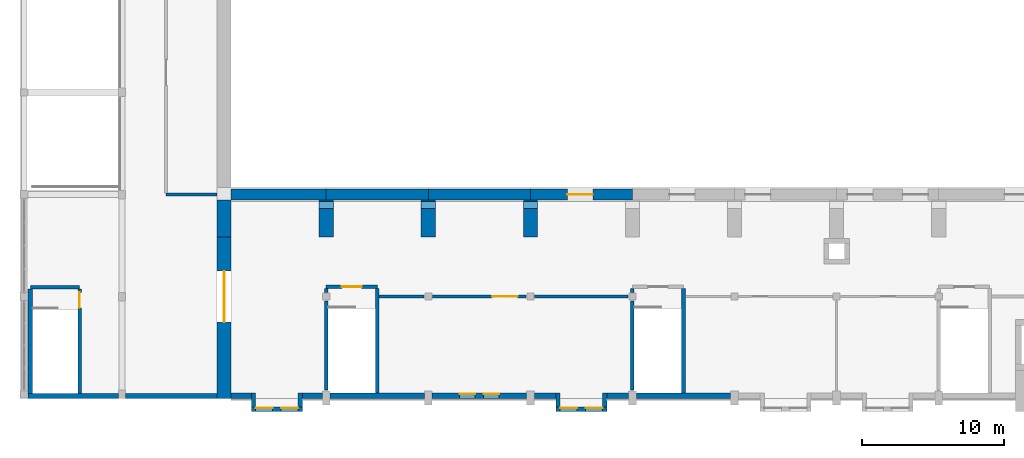
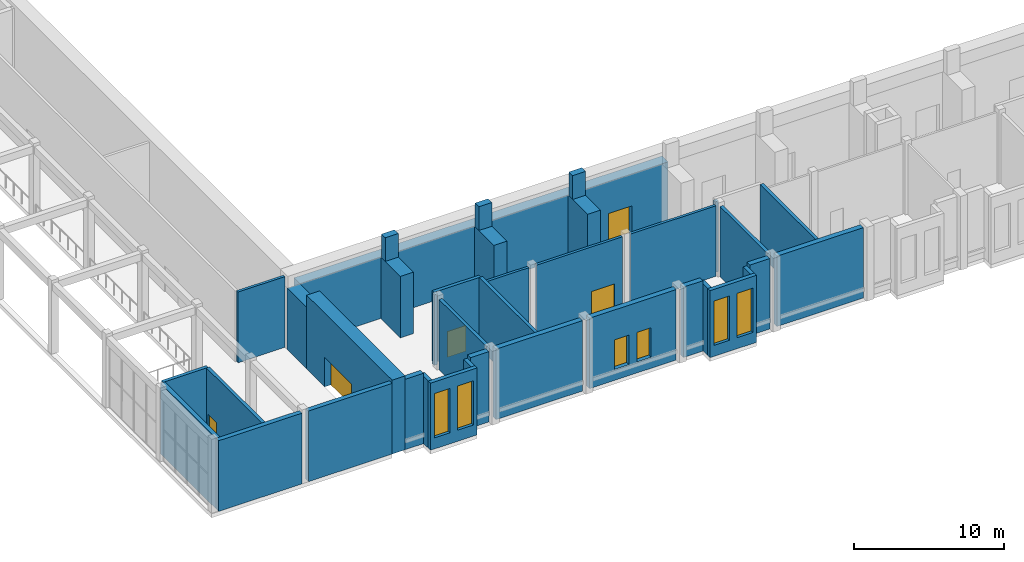
# One storey, part 26 of 44: 41 walls, 6 windows, 5 doors, 11 openings.
"""IFC4 building model written with IfcOpenShell, lengths in metres."""

from ifc_helpers import new_model, si_unit, direction, frame, frame_2d, origin, place, context, subcontext, project, spatial, rectangle, extrude, material, layer, layer_set, type_object, element, fill, save


model = new_model("IFC4")

# Units and contexts
model_context = context("Model", 3, precision=1e-05, world=origin(), true_north=direction((0.0, 1.0)))
body_context = subcontext(model_context, "Body", "Model", "MODEL_VIEW")
ifc_project = project(units=[si_unit("LENGTHUNIT", "METRE"), si_unit("AREAUNIT", "SQUARE_METRE"), si_unit("VOLUMEUNIT", "CUBIC_METRE"), si_unit("PLANEANGLEUNIT", "RADIAN"), si_unit("MASSUNIT", "GRAM", prefix="KILO")], contexts=[model_context])

# Site, building, storey
site_placement = place(None, origin())
site = spatial("IfcSite", under=ifc_project, at=site_placement, CompositionType="ELEMENT")
building_placement = place(site_placement, origin())
building = spatial("IfcBuilding", under=site, at=building_placement, Name="Vermilion Court Aquatics Centre", CompositionType="ELEMENT")
storey_placement = place(building_placement, frame((0.0, 0.0, 6.0)))
storey = spatial("IfcBuildingStorey", under=building, at=storey_placement, Name="L01", CompositionType="ELEMENT", Elevation=6.0)

# Walls
ifc_material_1 = material(Name="Brick masonry", Category="masonry")
ifc_layer_1 = layer(ifc_material_1, 0.35009765625)
ifc_layer_set_1 = layer_set([ifc_layer_1], Name="Foyer brick wall 350")
wall_type_1 = type_object("IfcWallType", Name="Foyer brick wall 350", PredefinedType="SOLIDWALL", material=ifc_layer_set_1)
wall_1_placement = place(storey_placement, frame((0.550048828125, 0.175048828125, 0.0), z_axis=(0.0, 0.0, 1.0), x_axis=(1.0, 0.0, 0.0)))
element("IfcWall", 1, at=wall_1_placement, inside=storey, type_object=wall_type_1, Name="Foyer brick wall", PredefinedType="SOLIDWALL", context=body_context, shape_type="SweptSolid", body=[
    extrude(rectangle(XDim=6.39990234375, YDim=0.35009765625, at=frame_2d((3.199951171875, 0.0))), origin(), (0.0, 0.0, 1.0), 5.75),
])
wall_2_placement = place(storey_placement, frame((7.449951171875, 0.175048828125, 0.0), z_axis=(0.0, 0.0, 1.0), x_axis=(1.0, 0.0, 0.0)))
element("IfcWall", 2, at=wall_2_placement, inside=storey, type_object=wall_type_1, Name="Foyer brick wall", PredefinedType="SOLIDWALL", context=body_context, shape_type="SweptSolid", body=[
    extrude(rectangle(XDim=6.449951171875, YDim=0.35009765625, at=frame_2d((3.22509765625, 0.0))), origin(), (0.0, 0.0, 1.0), 5.75),
])

# Wall, opening, door
ifc_material_2 = material(Name="Concrete 5000 psi", Category="concrete")
ifc_layer_2 = layer(ifc_material_2, 1.0)
ifc_layer_set_2 = layer_set([ifc_layer_2], Name="Foyer end wall 1000")
wall_type_2 = type_object("IfcWallType", Name="Foyer end wall 1000", PredefinedType="SOLIDWALL", material=ifc_layer_set_2)
wall_3_placement = place(storey_placement, frame((14.39990234375, 0.0, 0.0), z_axis=(0.0, 0.0, 1.0), x_axis=(0.0, 1.0, 0.0)))
wall_3 = element("IfcWall", 3, at=wall_3_placement, inside=storey, type_object=wall_type_2, Name="Foyer end wall", PredefinedType="SOLIDWALL", context=body_context, shape_type="SweptSolid", body=[
    extrude(rectangle(XDim=11.39990234375, YDim=1.0, at=frame_2d((5.699951171875, 0.0))), origin(), (0.0, 0.0, 1.0), 6.0),
])
opening_1_placement = place(wall_3_placement, frame((5.39990234375, 0.0, 0.0)))
opening_1 = element("IfcOpeningElement", 4, at=opening_1_placement, cuts=wall_3, Name="Opening F01-006", PredefinedType="OPENING", context=body_context, shape_type="SweptSolid", body=[
    extrude(rectangle(XDim=3.60009765625, YDim=2.39990234375, at=frame_2d((1.800048828125, 1.199951171875))), frame((0.0, 0.510009765625, 0.0), z_axis=(0.0, -1.0, 0.0), x_axis=(1.0, 0.0, 0.0)), (0.0, 0.0, 1.0), 1.02001953125),
])
ifc_material_3 = material(Name="Hollow metal", Category="metal")
door_type_1 = type_object("IfcDoorType", Name="Foyer concourse link door 3600", OperationType="DOUBLE_DOOR_SINGLE_SWING", PredefinedType="DOOR", material=ifc_material_3)
door_1_placement = place(opening_1_placement, origin())
door_1 = element("IfcDoor", 5, at=door_1_placement, inside=storey, type_object=door_type_1, Name="Concourse link door", OperationType="DOUBLE_DOOR_SINGLE_SWING", OverallHeight=2.39990234375, OverallWidth=3.60009765625, PredefinedType="DOOR", context=body_context, shape_type="SweptSolid", body=[
    extrude(rectangle(XDim=3.60009765625, YDim=2.39990234375, at=frame_2d((1.800048828125, 1.199951171875))), frame((0.0, 0.02490234375, 0.0), z_axis=(0.0, -1.0, 0.0), x_axis=(1.0, 0.0, 0.0)), (0.0, 0.0, 1.0), 0.050048828125),
])
fill(opening_1, door_1)

# Wall
ifc_material_4 = material(Name="Concrete masonry ASTM C90 Type I", Category="masonry")
ifc_layer_3 = layer(ifc_material_4, 0.199951171875)
ifc_layer_set_3 = layer_set([ifc_layer_3], Name="Foyer partition wall 200")
wall_type_3 = type_object("IfcWallType", Name="Foyer partition wall 200", PredefinedType="PARTITIONING", material=ifc_layer_set_3)
wall_4_placement = place(storey_placement, frame((10.300048828125, 14.39990234375, 0.0), z_axis=(0.0, 0.0, 1.0), x_axis=(1.0, 0.0, 0.0)))
element("IfcWall", 6, at=wall_4_placement, inside=storey, type_object=wall_type_3, Name="Partition wall", PredefinedType="PARTITIONING", context=body_context, shape_type="SweptSolid", body=[
    extrude(rectangle(XDim=3.599853515625, YDim=0.199951171875, at=frame_2d((1.7998046875, 0.0))), origin(), (0.0, 0.0, 1.0), 5.75),
])

# Wall, opening, door
ifc_material_5 = material(Name="Concrete 5000 psi", Category="concrete")
ifc_layer_4 = layer(ifc_material_5, 0.25)
ifc_layer_set_4 = layer_set([ifc_layer_4], Name="Foyer upper stair wall 250")
wall_type_4 = type_object("IfcWallType", Name="Foyer upper stair wall 250", PredefinedType="SOLIDWALL", material=ifc_layer_set_4)
wall_5_placement = place(storey_placement, frame((4.199951171875, 0.35009765625, 0.0), z_axis=(0.0, 0.0, 1.0), x_axis=(0.0, 1.0, 0.0)))
wall_5 = element("IfcWall", 7, at=wall_5_placement, inside=storey, type_object=wall_type_4, Name="Stair enclosure wall", PredefinedType="SOLIDWALL", context=body_context, shape_type="SweptSolid", body=[
    extrude(rectangle(XDim=7.375, YDim=0.25, at=frame_2d((3.6875, 0.0))), origin(), (0.0, 0.0, 1.0), 5.75),
])
opening_2_placement = place(wall_5_placement, frame((6.050048828125, 0.0, 0.0)))
opening_2 = element("IfcOpeningElement", 8, at=opening_2_placement, cuts=wall_5, Name="Opening F01-001", PredefinedType="OPENING", context=body_context, shape_type="SweptSolid", body=[
    extrude(rectangle(XDim=1.10009765625, YDim=2.10009765625, at=frame_2d((0.550048828125, 1.050048828125))), frame((0.0, 0.135009765625, 0.0), z_axis=(0.0, -1.0, 0.0), x_axis=(1.0, 0.0, 0.0)), (0.0, 0.0, 1.0), 0.27001953125),
])
ifc_material_6 = material(Name="Hollow metal", Category="metal")
door_type_2 = type_object("IfcDoorType", Name="Foyer stair door 1100", OperationType="NOTDEFINED", PredefinedType="DOOR", material=ifc_material_6)
door_2_placement = place(opening_2_placement, origin())
door_2 = element("IfcDoor", 9, at=door_2_placement, inside=storey, type_object=door_type_2, Name="Exit stair F1 door", OperationType="SINGLE_SWING_RIGHT", OverallHeight=2.10009765625, OverallWidth=1.10009765625, PredefinedType="DOOR", context=body_context, shape_type="SweptSolid", body=[
    extrude(rectangle(XDim=1.10009765625, YDim=2.10009765625, at=frame_2d((0.550048828125, 1.050048828125))), frame((0.0, 0.02490234375, 0.0), z_axis=(0.0, -1.0, 0.0), x_axis=(1.0, 0.0, 0.0)), (0.0, 0.0, 1.0), 0.050048828125),
])
fill(opening_2, door_2)

# Walls
wall_6_placement = place(storey_placement, frame((0.75, 7.85009765625, 0.0), z_axis=(0.0, 0.0, 1.0), x_axis=(1.0, 0.0, 0.0)))
element("IfcWall", 10, at=wall_6_placement, inside=storey, type_object=wall_type_4, Name="Stair enclosure wall", PredefinedType="SOLIDWALL", context=body_context, shape_type="SweptSolid", body=[
    extrude(rectangle(XDim=3.449951171875, YDim=0.25, at=frame_2d((1.72509765625, 0.0))), origin(), (0.0, 0.0, 1.0), 5.75),
])
ifc_material_7 = material(Name="Concrete 5000 psi", Category="concrete")
ifc_layer_5 = layer(ifc_material_7, 0.324951171875)
ifc_layer_set_5 = layer_set([ifc_layer_5], Name="Foyer upper stair west wall 325")
wall_type_5 = type_object("IfcWallType", Name="Foyer upper stair west wall 325", PredefinedType="SOLIDWALL", material=ifc_layer_set_5)
wall_7_placement = place(storey_placement, frame((0.71240234375, 0.35009765625, 0.0), z_axis=(0.0, 0.0, 1.0), x_axis=(0.0, 1.0, 0.0)))
element("IfcWall", 11, at=wall_7_placement, inside=storey, type_object=wall_type_5, Name="Stair enclosure wall", PredefinedType="SOLIDWALL", context=body_context, shape_type="SweptSolid", body=[
    extrude(rectangle(XDim=7.375, YDim=0.324951171875, at=frame_2d((3.6875, 0.0))), origin(), (0.0, 0.0, 1.0), 5.75),
])
ifc_material_8 = material(Name="Concrete 5000 psi", Category="concrete")
ifc_layer_6 = layer(ifc_material_8, 1.0)
ifc_layer_set_6 = layer_set([ifc_layer_6], Name="Roof buttress pier")
wall_type_6 = type_object("IfcWallType", Name="Roof buttress pier", PredefinedType="SOLIDWALL", material=ifc_layer_set_6)
for number, where, z_axis, x_axis, name in (
    (12, (14.39990234375, 11.39990234375, 0.0), (0.0, 0.0, 1.0), (0.0, 1.0, 0.0), "Buttress pier BPS01"),
    (13, (21.60009765625, 11.39990234375, 0.0), (0.0, 0.0, 1.0), (0.0, 1.0, 0.0), "Buttress pier BPS02"),
    (14, (28.800048828125, 11.39990234375, 0.0), (0.0, 0.0, 1.0), (0.0, 1.0, 0.0), "Buttress pier BPS03"),
    (15, (36.0, 11.39990234375, 0.0), (0.0, 0.0, 1.0), (0.0, 1.0, 0.0), "Buttress pier BPS04"),
):
    element("IfcWall", number, at=place(storey_placement, frame(where, z_axis=z_axis, x_axis=x_axis)), inside=storey, type_object=wall_type_6, Name=name, PredefinedType="SOLIDWALL", context=body_context, shape_type="SweptSolid", body=[
        extrude(rectangle(XDim=2.60009765625, YDim=1.0, at=frame_2d((1.300048828125, 0.0))), origin(), (0.0, 0.0, 1.0), 5.0),
    ])

# Wall, openings, windows
ifc_material_9 = material(Name="Brick masonry", Category="masonry")
ifc_layer_7 = layer(ifc_material_9, 0.300048828125)
ifc_layer_set_7 = layer_set([ifc_layer_7], Name="South bay wall 300")
wall_type_7 = type_object("IfcWallType", Name="South bay wall 300", PredefinedType="SOLIDWALL", material=ifc_layer_set_7)
wall_8_placement = place(storey_placement, frame((16.31298828125, -0.75, 0.0), z_axis=(0.0, 0.0, 1.0), x_axis=(1.0, 0.0, 0.0)))
wall_8 = element("IfcWall", 16, at=wall_8_placement, inside=storey, type_object=wall_type_7, Name="South bay front wall", PredefinedType="SOLIDWALL", context=body_context, shape_type="SweptSolid", body=[
    extrude(rectangle(XDim=3.60009765625, YDim=0.300048828125, at=frame_2d((1.800048828125, 0.0))), origin(), (0.0, 0.0, 1.0), 5.449951171875),
])
opening_3_placement = place(wall_8_placement, frame((0.300048828125, 0.0, 0.89990234375)))
opening_3 = element("IfcOpeningElement", 17, at=opening_3_placement, cuts=wall_8, Name="Opening SWN6", PredefinedType="OPENING", context=body_context, shape_type="SweptSolid", body=[
    extrude(rectangle(XDim=1.199951171875, YDim=3.60009765625, at=frame_2d((0.60009765625, 1.800048828125))), frame((0.0, 0.159912109375, 0.0), z_axis=(0.0, -1.0, 0.0), x_axis=(1.0, 0.0, 0.0)), (0.0, 0.0, 1.0), 0.320068359375),
])
opening_4_placement = place(wall_8_placement, frame((2.10009765625, 0.0, 0.89990234375)))
opening_4 = element("IfcOpeningElement", 18, at=opening_4_placement, cuts=wall_8, Name="Opening SWN6", PredefinedType="OPENING", context=body_context, shape_type="SweptSolid", body=[
    extrude(rectangle(XDim=1.199951171875, YDim=3.60009765625, at=frame_2d((0.60009765625, 1.800048828125))), frame((0.0, 0.159912109375, 0.0), z_axis=(0.0, -1.0, 0.0), x_axis=(1.0, 0.0, 0.0)), (0.0, 0.0, 1.0), 0.320068359375),
])
ifc_material_10 = material(Name="Aluminium 6063-T5", Category="aluminium")
window_type_1 = type_object("IfcWindowType", Name="South tall window 1200x3600", PartitioningType="DOUBLE_PANEL_VERTICAL", PredefinedType="WINDOW", material=ifc_material_10)
window_1_placement = place(opening_3_placement, origin())
window_1 = element("IfcWindow", 19, at=window_1_placement, inside=storey, type_object=window_type_1, Name="Bay tall window", OverallHeight=3.60009765625, OverallWidth=1.199951171875, PartitioningType="DOUBLE_PANEL_VERTICAL", PredefinedType="WINDOW", context=body_context, shape_type="SweptSolid", body=[
    extrude(rectangle(XDim=1.199951171875, YDim=3.60009765625, at=frame_2d((0.60009765625, 1.800048828125))), frame((0.0, 0.130126953125, 0.0), z_axis=(0.0, -1.0, 0.0), x_axis=(1.0, 0.0, 0.0)), (0.0, 0.0, 1.0), 0.06005859375),
])
fill(opening_3, window_1)
window_2_placement = place(opening_4_placement, origin())
window_2 = element("IfcWindow", 20, at=window_2_placement, inside=storey, type_object=window_type_1, Name="Bay tall window", OverallHeight=3.60009765625, OverallWidth=1.199951171875, PartitioningType="DOUBLE_PANEL_VERTICAL", PredefinedType="WINDOW", context=body_context, shape_type="SweptSolid", body=[
    extrude(rectangle(XDim=1.199951171875, YDim=3.60009765625, at=frame_2d((0.60009765625, 1.800048828125))), frame((0.0, 0.130126953125, 0.0), z_axis=(0.0, -1.0, 0.0), x_axis=(1.0, 0.0, 0.0)), (0.0, 0.0, 1.0), 0.06005859375),
])
fill(opening_4, window_2)

# Walls
for number, where, z_axis, x_axis, name in (
    (21, (16.462890625, -0.60009765625, 0.0), (0.0, 0.0, 1.0), (0.0, 1.0, 0.0), "South bay jamb pier"),
    (22, (19.762939453125, -0.60009765625, 0.0), (0.0, 0.0, 1.0), (0.0, 1.0, 0.0), "South bay jamb pier"),
):
    element("IfcWall", number, at=place(storey_placement, frame(where, z_axis=z_axis, x_axis=x_axis)), inside=storey, type_object=wall_type_7, Name=name, PredefinedType="SOLIDWALL", context=body_context, shape_type="SweptSolid", body=[
        extrude(rectangle(XDim=1.0, YDim=0.300048828125, at=frame_2d((0.5, 0.0))), origin(), (0.0, 0.0, 1.0), 5.449951171875),
    ])

# Wall, openings, windows
wall_9_placement = place(storey_placement, frame((37.800048828125, -0.75, 0.0), z_axis=(0.0, 0.0, 1.0), x_axis=(1.0, 0.0, 0.0)))
wall_9 = element("IfcWall", 23, at=wall_9_placement, inside=storey, type_object=wall_type_7, Name="South bay front wall", PredefinedType="SOLIDWALL", context=body_context, shape_type="SweptSolid", body=[
    extrude(rectangle(XDim=3.599853515625, YDim=0.300048828125, at=frame_2d((1.7998046875, 0.0))), origin(), (0.0, 0.0, 1.0), 5.449951171875),
])
opening_5_placement = place(wall_9_placement, frame((0.300048828125, 0.0, 0.89990234375)))
opening_5 = element("IfcOpeningElement", 24, at=opening_5_placement, cuts=wall_9, Name="Opening SWN6", PredefinedType="OPENING", context=body_context, shape_type="SweptSolid", body=[
    extrude(rectangle(XDim=1.199951171875, YDim=3.60009765625, at=frame_2d((0.60009765625, 1.800048828125))), frame((0.0, 0.159912109375, 0.0), z_axis=(0.0, -1.0, 0.0), x_axis=(1.0, 0.0, 0.0)), (0.0, 0.0, 1.0), 0.320068359375),
])
opening_6_placement = place(wall_9_placement, frame((2.10009765625, 0.0, 0.89990234375)))
opening_6 = element("IfcOpeningElement", 25, at=opening_6_placement, cuts=wall_9, Name="Opening SWN6", PredefinedType="OPENING", context=body_context, shape_type="SweptSolid", body=[
    extrude(rectangle(XDim=1.199951171875, YDim=3.60009765625, at=frame_2d((0.60009765625, 1.800048828125))), frame((0.0, 0.159912109375, 0.0), z_axis=(0.0, -1.0, 0.0), x_axis=(1.0, 0.0, 0.0)), (0.0, 0.0, 1.0), 0.320068359375),
])
window_3_placement = place(opening_5_placement, origin())
window_3 = element("IfcWindow", 26, at=window_3_placement, inside=storey, type_object=window_type_1, Name="Bay tall window", OverallHeight=3.60009765625, OverallWidth=1.199951171875, PartitioningType="DOUBLE_PANEL_VERTICAL", PredefinedType="WINDOW", context=body_context, shape_type="SweptSolid", body=[
    extrude(rectangle(XDim=1.199951171875, YDim=3.60009765625, at=frame_2d((0.60009765625, 1.800048828125))), frame((0.0, 0.130126953125, 0.0), z_axis=(0.0, -1.0, 0.0), x_axis=(1.0, 0.0, 0.0)), (0.0, 0.0, 1.0), 0.06005859375),
])
fill(opening_5, window_3)
window_4_placement = place(opening_6_placement, origin())
window_4 = element("IfcWindow", 27, at=window_4_placement, inside=storey, type_object=window_type_1, Name="Bay tall window", OverallHeight=3.60009765625, OverallWidth=1.199951171875, PartitioningType="DOUBLE_PANEL_VERTICAL", PredefinedType="WINDOW", context=body_context, shape_type="SweptSolid", body=[
    extrude(rectangle(XDim=1.199951171875, YDim=3.60009765625, at=frame_2d((0.60009765625, 1.800048828125))), frame((0.0, 0.130126953125, 0.0), z_axis=(0.0, -1.0, 0.0), x_axis=(1.0, 0.0, 0.0)), (0.0, 0.0, 1.0), 0.06005859375),
])
fill(opening_6, window_4)

# Walls
for number, where, z_axis, x_axis, name in (
    (28, (37.949951171875, -0.60009765625, 0.0), (0.0, 0.0, 1.0), (0.0, 1.0, 0.0), "South bay jamb pier"),
    (29, (41.25, -0.60009765625, 0.0), (0.0, 0.0, 1.0), (0.0, 1.0, 0.0), "South bay jamb pier"),
):
    element("IfcWall", number, at=place(storey_placement, frame(where, z_axis=z_axis, x_axis=x_axis)), inside=storey, type_object=wall_type_7, Name=name, PredefinedType="SOLIDWALL", context=body_context, shape_type="SweptSolid", body=[
        extrude(rectangle(XDim=1.0, YDim=0.300048828125, at=frame_2d((0.5, 0.0))), origin(), (0.0, 0.0, 1.0), 5.449951171875),
    ])
ifc_material_11 = material(Name="Brick masonry", Category="masonry")
ifc_layer_8 = layer(ifc_material_11, 0.39990234375)
ifc_layer_set_8 = layer_set([ifc_layer_8], Name="South brick facade wall 400")
wall_type_8 = type_object("IfcWallType", Name="South brick facade wall 400", PredefinedType="SOLIDWALL", material=ifc_layer_set_8)
wall_10_placement = place(storey_placement, frame((14.89990234375, 0.199951171875, 0.0), z_axis=(0.0, 0.0, 1.0), x_axis=(1.0, 0.0, 0.0)))
element("IfcWall", 30, at=wall_10_placement, inside=storey, type_object=wall_type_8, Name="Brick facade wall", PredefinedType="SOLIDWALL", context=body_context, shape_type="SweptSolid", body=[
    extrude(rectangle(XDim=1.4130859375, YDim=0.39990234375, at=frame_2d((0.70654296875, 0.0))), origin(), (0.0, 0.0, 1.0), 5.72509765625),
])
wall_11_placement = place(storey_placement, frame((19.9130859375, 0.199951171875, 0.0), z_axis=(0.0, 0.0, 1.0), x_axis=(1.0, 0.0, 0.0)))
element("IfcWall", 31, at=wall_11_placement, inside=storey, type_object=wall_type_8, Name="Brick facade wall", PredefinedType="SOLIDWALL", context=body_context, shape_type="SweptSolid", body=[
    extrude(rectangle(XDim=1.411865234375, YDim=0.39990234375, at=frame_2d((0.7060546875, 0.0))), origin(), (0.0, 0.0, 1.0), 5.72509765625),
])
wall_12_placement = place(storey_placement, frame((21.875, 0.199951171875, 0.0), z_axis=(0.0, 0.0, 1.0), x_axis=(1.0, 0.0, 0.0)))
element("IfcWall", 32, at=wall_12_placement, inside=storey, type_object=wall_type_8, Name="Brick facade wall", PredefinedType="SOLIDWALL", context=body_context, shape_type="SweptSolid", body=[
    extrude(rectangle(XDim=6.64990234375, YDim=0.39990234375, at=frame_2d((3.324951171875, 0.0))), origin(), (0.0, 0.0, 1.0), 5.72509765625),
])

# Wall, openings, windows
wall_13_placement = place(storey_placement, frame((29.074951171875, 0.199951171875, 0.0), z_axis=(0.0, 0.0, 1.0), x_axis=(1.0, 0.0, 0.0)))
wall_13 = element("IfcWall", 33, at=wall_13_placement, inside=storey, type_object=wall_type_8, Name="Brick facade wall", PredefinedType="SOLIDWALL", context=body_context, shape_type="SweptSolid", body=[
    extrude(rectangle(XDim=6.650146484375, YDim=0.39990234375, at=frame_2d((3.3251953125, 0.0))), origin(), (0.0, 0.0, 1.0), 5.72509765625),
])
opening_7_placement = place(wall_13_placement, frame((1.925048828125, 0.0, 0.89990234375)))
opening_7 = element("IfcOpeningElement", 34, at=opening_7_placement, cuts=wall_13, Name="Opening SWN2", PredefinedType="OPENING", context=body_context, shape_type="SweptSolid", body=[
    extrude(rectangle(XDim=1.10009765625, YDim=2.39990234375, at=frame_2d((0.550048828125, 1.199951171875))), frame((0.0, 0.2099609375, 0.0), z_axis=(0.0, -1.0, 0.0), x_axis=(1.0, 0.0, 0.0)), (0.0, 0.0, 1.0), 0.419921875),
])
opening_8_placement = place(wall_13_placement, frame((3.625, 0.0, 0.89990234375)))
opening_8 = element("IfcOpeningElement", 35, at=opening_8_placement, cuts=wall_13, Name="Opening SWN2", PredefinedType="OPENING", context=body_context, shape_type="SweptSolid", body=[
    extrude(rectangle(XDim=1.10009765625, YDim=2.39990234375, at=frame_2d((0.550048828125, 1.199951171875))), frame((0.0, 0.2099609375, 0.0), z_axis=(0.0, -1.0, 0.0), x_axis=(1.0, 0.0, 0.0)), (0.0, 0.0, 1.0), 0.419921875),
])
ifc_material_12 = material(Name="Aluminium 6063-T5", Category="aluminium")
window_type_2 = type_object("IfcWindowType", Name="South window 1100x2400", PartitioningType="DOUBLE_PANEL_VERTICAL", PredefinedType="WINDOW", material=ifc_material_12)
window_5_placement = place(opening_7_placement, origin())
window_5 = element("IfcWindow", 36, at=window_5_placement, inside=storey, type_object=window_type_2, Name="Facade window", OverallHeight=2.39990234375, OverallWidth=1.10009765625, PartitioningType="DOUBLE_PANEL_VERTICAL", PredefinedType="WINDOW", context=body_context, shape_type="SweptSolid", body=[
    extrude(rectangle(XDim=1.10009765625, YDim=2.39990234375, at=frame_2d((0.550048828125, 1.199951171875))), frame((0.0, 0.159912109375, 0.0), z_axis=(0.0, -1.0, 0.0), x_axis=(1.0, 0.0, 0.0)), (0.0, 0.0, 1.0), 0.06005859375),
])
fill(opening_7, window_5)
window_6_placement = place(opening_8_placement, origin())
window_6 = element("IfcWindow", 37, at=window_6_placement, inside=storey, type_object=window_type_2, Name="Facade window", OverallHeight=2.39990234375, OverallWidth=1.10009765625, PartitioningType="DOUBLE_PANEL_VERTICAL", PredefinedType="WINDOW", context=body_context, shape_type="SweptSolid", body=[
    extrude(rectangle(XDim=1.10009765625, YDim=2.39990234375, at=frame_2d((0.550048828125, 1.199951171875))), frame((0.0, 0.159912109375, 0.0), z_axis=(0.0, -1.0, 0.0), x_axis=(1.0, 0.0, 0.0)), (0.0, 0.0, 1.0), 0.06005859375),
])
fill(opening_8, window_6)

# Walls
for number, where, z_axis, x_axis, name in (
    (38, (36.27490234375, 0.199951171875, 0.0), (0.0, 0.0, 1.0), (1.0, 0.0, 0.0), "Brick facade wall"),
    (39, (41.39990234375, 0.199951171875, 0.0), (0.0, 0.0, 1.0), (1.0, 0.0, 0.0), "Brick facade wall"),
):
    element("IfcWall", number, at=place(storey_placement, frame(where, z_axis=z_axis, x_axis=x_axis)), inside=storey, type_object=wall_type_8, Name=name, PredefinedType="SOLIDWALL", context=body_context, shape_type="SweptSolid", body=[
        extrude(rectangle(XDim=1.525146484375, YDim=0.39990234375, at=frame_2d((0.7626953125, 0.0))), origin(), (0.0, 0.0, 1.0), 5.72509765625),
    ])
wall_14_placement = place(storey_placement, frame((43.47509765625, 0.199951171875, 0.0), z_axis=(0.0, 0.0, 1.0), x_axis=(1.0, 0.0, 0.0)))
element("IfcWall", 40, at=wall_14_placement, inside=storey, type_object=wall_type_8, Name="Brick facade wall", PredefinedType="SOLIDWALL", context=body_context, shape_type="SweptSolid", body=[
    extrude(rectangle(XDim=6.64990234375, YDim=0.39990234375, at=frame_2d((3.324951171875, 0.0))), origin(), (0.0, 0.0, 1.0), 5.72509765625),
])
ifc_material_13 = material(Name="Concrete masonry ASTM C90 Type I", Category="masonry")
ifc_layer_9 = layer(ifc_material_13, 0.199951171875)
ifc_layer_set_9 = layer_set([ifc_layer_9], Name="South partition wall 200")
wall_type_9 = type_object("IfcWallType", Name="South partition wall 200", PredefinedType="PARTITIONING", material=ifc_layer_set_9)
wall_15_placement = place(storey_placement, frame((25.324951171875, 7.199951171875, 0.0), z_axis=(0.0, 0.0, 1.0), x_axis=(1.0, 0.0, 0.0)))
element("IfcWall", 41, at=wall_15_placement, inside=storey, type_object=wall_type_9, Name="Partition wall", PredefinedType="PARTITIONING", context=body_context, shape_type="SweptSolid", body=[
    extrude(rectangle(XDim=3.175048828125, YDim=0.199951171875, at=frame_2d((1.58740234375, 0.0))), origin(), (0.0, 0.0, 1.0), 5.72509765625),
])

# Wall, opening, door
wall_16_placement = place(storey_placement, frame((29.10009765625, 7.199951171875, 0.0), z_axis=(0.0, 0.0, 1.0), x_axis=(1.0, 0.0, 0.0)))
wall_16 = element("IfcWall", 42, at=wall_16_placement, inside=storey, type_object=wall_type_9, Name="Partition wall", PredefinedType="PARTITIONING", context=body_context, shape_type="SweptSolid", body=[
    extrude(rectangle(XDim=6.599853515625, YDim=0.199951171875, at=frame_2d((3.2998046875, 0.0))), origin(), (0.0, 0.0, 1.0), 5.72509765625),
])
opening_9_placement = place(wall_16_placement, frame((4.199951171875, 0.0, 0.0)))
opening_9 = element("IfcOpeningElement", 43, at=opening_9_placement, cuts=wall_16, Name="Opening S01-009", PredefinedType="OPENING", context=body_context, shape_type="SweptSolid", body=[
    extrude(rectangle(XDim=1.800048828125, YDim=2.10009765625, at=frame_2d((0.89990234375, 1.050048828125))), frame((0.0, 0.10986328125, 0.0), z_axis=(0.0, -1.0, 0.0), x_axis=(1.0, 0.0, 0.0)), (0.0, 0.0, 1.0), 0.219970703125),
])
ifc_material_14 = material(Name="Hollow metal", Category="metal")
door_type_3 = type_object("IfcDoorType", Name="South range double door 1800", OperationType="DOUBLE_DOOR_SINGLE_SWING", PredefinedType="DOOR", material=ifc_material_14)
door_3_placement = place(opening_9_placement, origin())
door_3 = element("IfcDoor", 44, at=door_3_placement, inside=storey, type_object=door_type_3, Name="Cafe door", OperationType="DOUBLE_DOOR_SINGLE_SWING", OverallHeight=2.10009765625, OverallWidth=1.800048828125, PredefinedType="DOOR", context=body_context, shape_type="SweptSolid", body=[
    extrude(rectangle(XDim=1.800048828125, YDim=2.10009765625, at=frame_2d((0.89990234375, 1.050048828125))), frame((0.0, 0.02490234375, 0.0), z_axis=(0.0, -1.0, 0.0), x_axis=(1.0, 0.0, 0.0)), (0.0, 0.0, 1.0), 0.050048828125),
])
fill(opening_9, door_3)

# Walls
wall_17_placement = place(storey_placement, frame((36.300048828125, 7.199951171875, 0.0), z_axis=(0.0, 0.0, 1.0), x_axis=(1.0, 0.0, 0.0)))
element("IfcWall", 45, at=wall_17_placement, inside=storey, type_object=wall_type_9, Name="Partition wall", PredefinedType="PARTITIONING", context=body_context, shape_type="SweptSolid", body=[
    extrude(rectangle(XDim=6.599853515625, YDim=0.199951171875, at=frame_2d((3.2998046875, 0.0))), origin(), (0.0, 0.0, 1.0), 5.72509765625),
])
ifc_material_15 = material(Name="Concrete 5000 psi", Category="concrete")
ifc_layer_10 = layer(ifc_material_15, 0.5)
ifc_layer_set_10 = layer_set([ifc_layer_10], Name="South roof valley post 500")
wall_type_10 = type_object("IfcWallType", Name="South roof valley post 500", PredefinedType="SOLIDWALL", material=ifc_layer_set_10)
for number, where, z_axis, x_axis, name in (
    (46, (21.10009765625, 13.64990234375, 5.0), (0.0, 0.0, 1.0), (1.0, 0.0, 0.0), "South roof valley post"),
    (47, (28.300048828125, 13.64990234375, 5.0), (0.0, 0.0, 1.0), (1.0, 0.0, 0.0), "South roof valley post"),
    (48, (35.5, 13.64990234375, 5.0), (0.0, 0.0, 1.0), (1.0, 0.0, 0.0), "South roof valley post"),
):
    element("IfcWall", number, at=place(storey_placement, frame(where, z_axis=z_axis, x_axis=x_axis)), inside=storey, type_object=wall_type_10, Name=name, PredefinedType="SOLIDWALL", context=body_context, shape_type="SweptSolid", body=[
        extrude(rectangle(XDim=1.0, YDim=0.5, at=frame_2d((0.5, 0.0))), origin(), (0.0, 0.0, 1.0), 1.932373046875),
    ])
ifc_material_16 = material(Name="Concrete 5000 psi", Category="concrete")
ifc_layer_11 = layer(ifc_material_16, 0.25)
ifc_layer_set_11 = layer_set([ifc_layer_11], Name="South upper stair wall 250")
wall_type_11 = type_object("IfcWallType", Name="South upper stair wall 250", PredefinedType="SOLIDWALL", material=ifc_layer_set_11)
wall_18_placement = place(storey_placement, frame((21.60009765625, 0.60009765625, 0.0), z_axis=(0.0, 0.0, 1.0), x_axis=(0.0, 1.0, 0.0)))
element("IfcWall", 49, at=wall_18_placement, inside=storey, type_object=wall_type_11, Name="Stair enclosure wall", PredefinedType="SOLIDWALL", context=body_context, shape_type="SweptSolid", body=[
    extrude(rectangle(XDim=6.2998046875, YDim=0.25, at=frame_2d((3.14990234375, 0.0))), origin(), (0.0, 0.0, 1.0), 5.72509765625),
])
wall_19_placement = place(storey_placement, frame((21.60009765625, 7.5, 0.0), z_axis=(0.0, 0.0, 1.0), x_axis=(0.0, 1.0, 0.0)))
element("IfcWall", 50, at=wall_19_placement, inside=storey, type_object=wall_type_11, Name="Stair enclosure wall", PredefinedType="SOLIDWALL", context=body_context, shape_type="SweptSolid", body=[
    extrude(rectangle(XDim=0.27490234375, YDim=0.25, at=frame_2d((0.137451171875, 0.0))), origin(), (0.0, 0.0, 1.0), 5.72509765625),
])
wall_20_placement = place(storey_placement, frame((25.199951171875, 0.39990234375, 0.0), z_axis=(0.0, 0.0, 1.0), x_axis=(0.0, 1.0, 0.0)))
element("IfcWall", 51, at=wall_20_placement, inside=storey, type_object=wall_type_11, Name="Stair enclosure wall", PredefinedType="SOLIDWALL", context=body_context, shape_type="SweptSolid", body=[
    extrude(rectangle(XDim=7.375, YDim=0.25, at=frame_2d((3.6875, 0.0))), origin(), (0.0, 0.0, 1.0), 5.72509765625),
])
wall_21_placement = place(storey_placement, frame((43.199951171875, 0.60009765625, 0.0), z_axis=(0.0, 0.0, 1.0), x_axis=(0.0, 1.0, 0.0)))
element("IfcWall", 52, at=wall_21_placement, inside=storey, type_object=wall_type_11, Name="Stair enclosure wall", PredefinedType="SOLIDWALL", context=body_context, shape_type="SweptSolid", body=[
    extrude(rectangle(XDim=6.2998046875, YDim=0.25, at=frame_2d((3.14990234375, 0.0))), origin(), (0.0, 0.0, 1.0), 5.72509765625),
])
wall_22_placement = place(storey_placement, frame((43.199951171875, 7.5, 0.0), z_axis=(0.0, 0.0, 1.0), x_axis=(0.0, 1.0, 0.0)))
element("IfcWall", 53, at=wall_22_placement, inside=storey, type_object=wall_type_11, Name="Stair enclosure wall", PredefinedType="SOLIDWALL", context=body_context, shape_type="SweptSolid", body=[
    extrude(rectangle(XDim=0.27490234375, YDim=0.25, at=frame_2d((0.137451171875, 0.0))), origin(), (0.0, 0.0, 1.0), 5.72509765625),
])
wall_23_placement = place(storey_placement, frame((46.800048828125, 0.39990234375, 0.0), z_axis=(0.0, 0.0, 1.0), x_axis=(0.0, 1.0, 0.0)))
element("IfcWall", 54, at=wall_23_placement, inside=storey, type_object=wall_type_11, Name="Stair enclosure wall", PredefinedType="SOLIDWALL", context=body_context, shape_type="SweptSolid", body=[
    extrude(rectangle(XDim=7.375, YDim=0.25, at=frame_2d((3.6875, 0.0))), origin(), (0.0, 0.0, 1.0), 5.72509765625),
])

# Wall, opening, door
wall_24_placement = place(storey_placement, frame((21.60009765625, 7.89990234375, 0.0), z_axis=(0.0, 0.0, 1.0), x_axis=(1.0, 0.0, 0.0)))
wall_24 = element("IfcWall", 55, at=wall_24_placement, inside=storey, type_object=wall_type_11, Name="Stair enclosure wall", PredefinedType="SOLIDWALL", context=body_context, shape_type="SweptSolid", body=[
    extrude(rectangle(XDim=3.599853515625, YDim=0.25, at=frame_2d((1.7998046875, 0.0))), origin(), (0.0, 0.0, 1.0), 5.72509765625),
])
opening_10_placement = place(wall_24_placement, frame((1.10009765625, 0.0, 0.0)))
opening_10 = element("IfcOpeningElement", 56, at=opening_10_placement, cuts=wall_24, Name="Opening S01-001", PredefinedType="OPENING", context=body_context, shape_type="SweptSolid", body=[
    extrude(rectangle(XDim=1.39990234375, YDim=2.10009765625, at=frame_2d((0.699951171875, 1.050048828125))), frame((0.0, 0.135009765625, 0.0), z_axis=(0.0, -1.0, 0.0), x_axis=(1.0, 0.0, 0.0)), (0.0, 0.0, 1.0), 0.27001953125),
])
ifc_material_17 = material(Name="Hollow metal", Category="metal")
door_type_4 = type_object("IfcDoorType", Name="South stair door 1400", OperationType="DOUBLE_DOOR_SINGLE_SWING", PredefinedType="DOOR", material=ifc_material_17)
door_4_placement = place(opening_10_placement, frame((1.39990234375, 0.0, 0.0), z_axis=(0.0, 0.0, 1.0), x_axis=(-1.0, 0.0, 0.0)))
door_4 = element("IfcDoor", 57, at=door_4_placement, inside=storey, type_object=door_type_4, Name="Exit stair S1 door", OperationType="DOUBLE_DOOR_SINGLE_SWING", OverallHeight=2.10009765625, OverallWidth=1.39990234375, PredefinedType="DOOR", context=body_context, shape_type="SweptSolid", body=[
    extrude(rectangle(XDim=1.39990234375, YDim=2.10009765625, at=frame_2d((0.699951171875, 1.050048828125))), frame((0.0, 0.025146484375, 0.0), z_axis=(0.0, -1.0, 0.0), x_axis=(1.0, 0.0, 0.0)), (0.0, 0.0, 1.0), 0.050048828125),
])
fill(opening_10, door_4)

# Walls
ifc_material_18 = material(Name="Concrete 5000 psi", Category="concrete")
ifc_layer_12 = layer(ifc_material_18, 0.800048828125)
ifc_layer_set_12 = layer_set([ifc_layer_12], Name="Tribune back wall 800")
wall_type_12 = type_object("IfcWallType", Name="Tribune back wall 800", PredefinedType="SOLIDWALL", material=ifc_layer_set_12)
wall_25_placement = place(storey_placement, frame((14.89990234375, 14.39990234375, 0.0), z_axis=(0.0, 0.0, 1.0), x_axis=(1.0, 0.0, 0.0)))
element("IfcWall", 58, at=wall_25_placement, inside=storey, type_object=wall_type_12, Name="South hall wall", PredefinedType="SOLIDWALL", context=body_context, shape_type="SweptSolid", body=[
    extrude(rectangle(XDim=6.7001953125, YDim=0.800048828125, at=frame_2d((3.35009765625, 0.0))), origin(), (0.0, 0.0, 1.0), 5.0),
])
for number, where, z_axis, x_axis, name in (
    (59, (21.60009765625, 14.39990234375, 0.0), (0.0, 0.0, 1.0), (1.0, 0.0, 0.0), "South hall wall"),
    (60, (28.800048828125, 14.39990234375, 0.0), (0.0, 0.0, 1.0), (1.0, 0.0, 0.0), "South hall wall"),
):
    element("IfcWall", number, at=place(storey_placement, frame(where, z_axis=z_axis, x_axis=x_axis)), inside=storey, type_object=wall_type_12, Name=name, PredefinedType="SOLIDWALL", context=body_context, shape_type="SweptSolid", body=[
        extrude(rectangle(XDim=7.199951171875, YDim=0.800048828125, at=frame_2d((3.60009765625, 0.0))), origin(), (0.0, 0.0, 1.0), 5.0),
    ])

# Wall, opening, door
wall_26_placement = place(storey_placement, frame((36.0, 14.39990234375, 0.0), z_axis=(0.0, 0.0, 1.0), x_axis=(1.0, 0.0, 0.0)))
wall_26 = element("IfcWall", 61, at=wall_26_placement, inside=storey, type_object=wall_type_12, Name="South hall wall", PredefinedType="SOLIDWALL", context=body_context, shape_type="SweptSolid", body=[
    extrude(rectangle(XDim=7.199951171875, YDim=0.800048828125, at=frame_2d((3.60009765625, 0.0))), origin(), (0.0, 0.0, 1.0), 5.0),
])
opening_11_placement = place(wall_26_placement, frame((2.60009765625, 0.0, 0.0)))
opening_11 = element("IfcOpeningElement", 62, at=opening_11_placement, cuts=wall_26, Name="Opening T01-001", PredefinedType="OPENING", context=body_context, shape_type="SweptSolid", body=[
    extrude(rectangle(XDim=1.800048828125, YDim=2.39990234375, at=frame_2d((0.89990234375, 1.199951171875))), frame((0.0, 0.409912109375, 0.0), z_axis=(0.0, -1.0, 0.0), x_axis=(1.0, 0.0, 0.0)), (0.0, 0.0, 1.0), 0.820068359375),
])
ifc_material_19 = material(Name="Hollow metal", Category="metal")
door_type_5 = type_object("IfcDoorType", Name="Tribune vomitory door 1800x2400", OperationType="DOUBLE_DOOR_SINGLE_SWING", PredefinedType="DOOR", material=ifc_material_19)
door_5_placement = place(opening_11_placement, origin())
door_5 = element("IfcDoor", 63, at=door_5_placement, inside=storey, type_object=door_type_5, Name="Vomitory door", OperationType="DOUBLE_DOOR_SINGLE_SWING", OverallHeight=2.39990234375, OverallWidth=1.800048828125, PredefinedType="DOOR", context=body_context, shape_type="SweptSolid", body=[
    extrude(rectangle(XDim=1.800048828125, YDim=2.39990234375, at=frame_2d((0.89990234375, 1.199951171875))), frame((0.0, 0.02490234375, 0.0), z_axis=(0.0, -1.0, 0.0), x_axis=(1.0, 0.0, 0.0)), (0.0, 0.0, 1.0), 0.050048828125),
])
fill(opening_11, door_5)

save(model, "model.ifc")
